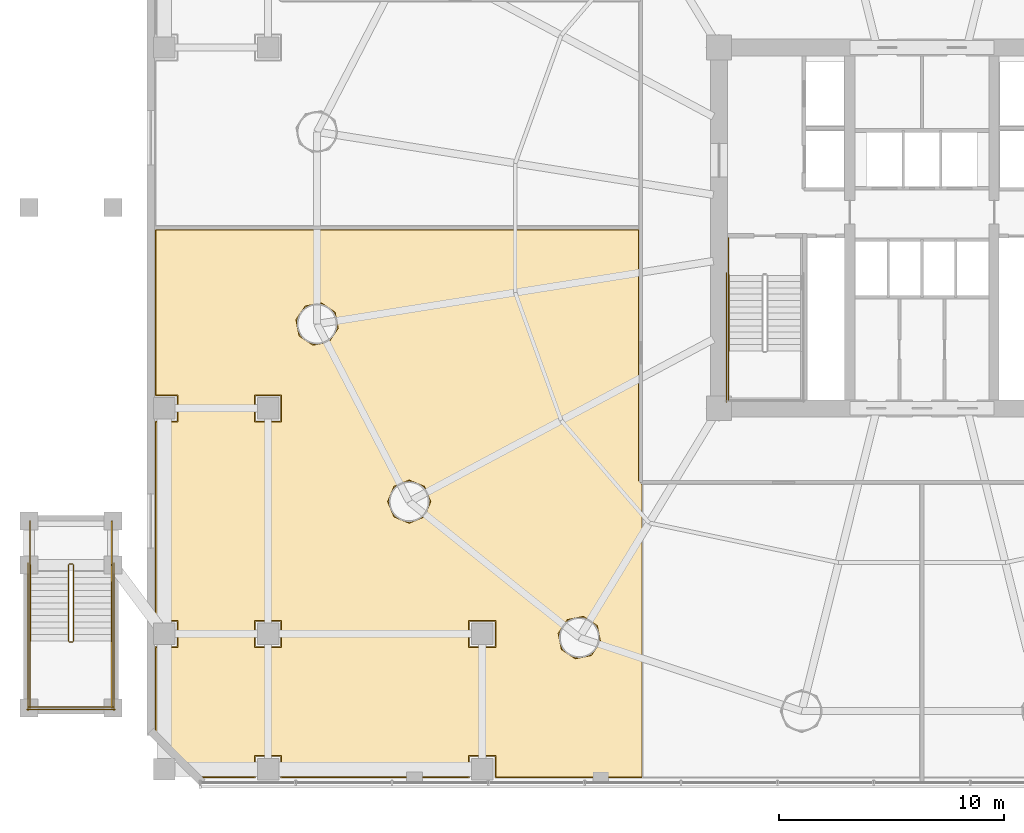
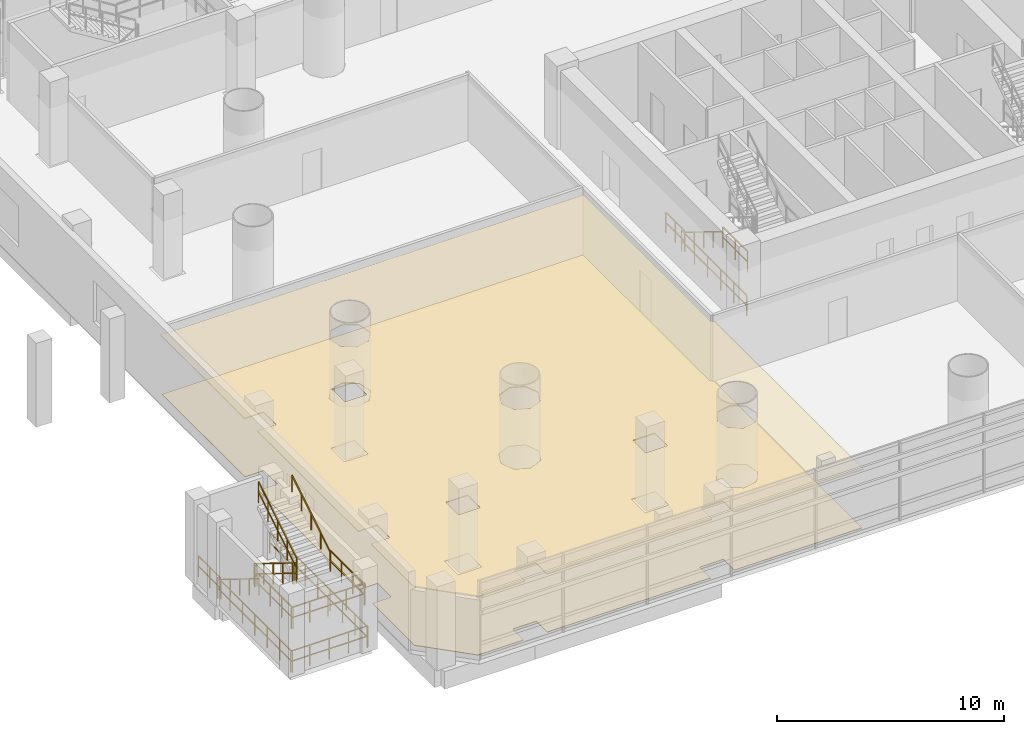
# One storey, part 27 of 36: 18 railings, 2 coverings.
"""IFC4 building model written with IfcOpenShell, lengths in metres."""

from ifc_helpers import new_model, si_unit, direction, frame, origin, origin_2d, place, context, subcontext, project, spatial, polyline, rectangle, outline, extrude, material, layer, layer_set, type_object, element, save


model = new_model("IFC4")

# Units and contexts
model_context = context("Model", 3, precision=1e-05, world=origin(), true_north=direction((-0.2419218956, 0.970295726276)))
body_context = subcontext(model_context, "Body", "Model", "MODEL_VIEW")
ifc_project = project(units=[si_unit("LENGTHUNIT", "METRE"), si_unit("AREAUNIT", "SQUARE_METRE"), si_unit("VOLUMEUNIT", "CUBIC_METRE"), si_unit("PLANEANGLEUNIT", "RADIAN"), si_unit("MASSUNIT", "GRAM", prefix="KILO")], contexts=[model_context])

# Site, building, storey
site_placement = place(None, origin())
site = spatial("IfcSite", under=ifc_project, at=site_placement, CompositionType="ELEMENT")
building_placement = place(site_placement, origin())
building = spatial("IfcBuilding", under=site, at=building_placement, Name="Cobrevalo Terracotta Tower", CompositionType="ELEMENT")
storey_placement = place(building_placement, frame((0.0, 0.0, 9.89990234375)))
storey = spatial("IfcBuildingStorey", under=building, at=storey_placement, Name="L02", CompositionType="ELEMENT", Elevation=9.89990234375)

# Coverings
ifc_material_1 = material(Name="Honed terracotta and granite tile", Category="masonry")
ifc_layer_1 = layer(ifc_material_1, 0.034912109375)
ifc_layer_set_1 = layer_set([ifc_layer_1], Name="Honed terracotta and granite tile")
covering_type_1 = type_object("IfcCoveringType", Name="Honed Terracotta & Granite Interior Flooring 35", PredefinedType="FLOORING", material=ifc_layer_set_1)
covering_1_placement = place(storey_placement, origin())
element("IfcCovering", 1, at=covering_1_placement, inside=storey, type_object=covering_type_1, Name="L02 Co-Working Studio West floor finish", PredefinedType="FLOORING", context=body_context, shape_type="SweptSolid", body=[
    extrude(outline(polyline([(4.0400390625, 4.478271484375), (4.0400390625, 8.199951171875), (5.0, 8.199951171875), (5.0, 9.39990234375), (4.0400390625, 9.39990234375), (4.0400390625, 18.199951171875), (5.0, 18.199951171875), (5.0, 19.39990234375), (4.0400390625, 19.39990234375), (4.0400390625, 26.699951171875), (25.419921875, 26.699951171875), (25.419921875, 15.59814453125), (25.580078125, 15.423583984375), (25.580078125, 2.43994140625), (19.10009765625, 2.43994140625), (19.10009765625, 3.39990234375), (17.89990234375, 3.39990234375), (17.89990234375, 2.43994140625), (9.60009765625, 2.43994140625), (9.60009765625, 3.39990234375), (8.39990234375, 3.39990234375), (8.39990234375, 2.43994140625), (6.078369140625, 2.43994140625), (4.0400390625, 4.478271484375)]), holes=[polyline([(23.338623046875, 7.833984375), (23.746826171875, 8.445068359375), (23.603515625, 9.165771484375), (22.992431640625, 9.573974609375), (22.271728515625, 9.4306640625), (21.863525390625, 8.819580078125), (22.0068359375, 8.098876953125), (22.617919921875, 7.690673828125), (23.338623046875, 7.833984375)]), polyline([(17.89990234375, 9.39990234375), (17.89990234375, 8.199951171875), (19.10009765625, 8.199951171875), (19.10009765625, 9.39990234375), (17.89990234375, 9.39990234375)]), polyline([(15.938232421875, 13.98193359375), (16.219482421875, 14.660888671875), (15.938232421875, 15.339599609375), (15.25927734375, 15.620849609375), (14.580322265625, 15.339599609375), (14.29931640625, 14.660888671875), (14.580322265625, 13.98193359375), (15.25927734375, 13.70068359375), (15.938232421875, 13.98193359375)]), polyline([(11.708984375, 21.739013671875), (12.1171875, 22.349853515625), (11.973876953125, 23.07080078125), (11.36279296875, 23.47900390625), (10.64208984375, 23.33544921875), (10.23388671875, 22.724609375), (10.377197265625, 22.00390625), (10.98828125, 21.595703125), (11.708984375, 21.739013671875)]), polyline([(8.39990234375, 9.39990234375), (8.39990234375, 8.199951171875), (9.60009765625, 8.199951171875), (9.60009765625, 9.39990234375), (8.39990234375, 9.39990234375)]), polyline([(8.39990234375, 19.39990234375), (8.39990234375, 18.199951171875), (9.60009765625, 18.199951171875), (9.60009765625, 19.39990234375), (8.39990234375, 19.39990234375)])]), origin(), (0.0, 0.0, 1.0), 0.030029296875),
])
ifc_material_2 = material(Name="Acoustic perforated gypsum ceiling", Category="gypsum")
ifc_layer_2 = layer(ifc_material_2, 0.050048828125)
ifc_layer_set_2 = layer_set([ifc_layer_2], Name="Acoustic perforated gypsum ceiling")
covering_type_2 = type_object("IfcCoveringType", Name="Perforated Acoustic Gypsum Ceiling 50", PredefinedType="CEILING", material=ifc_layer_set_2)
covering_2_placement = place(storey_placement, frame((0.0, 0.0, 3.16015625)))
element("IfcCovering", 2, at=covering_2_placement, inside=storey, type_object=covering_type_2, Name="L02 Co-Working Studio West acoustic ceiling", PredefinedType="CEILING", context=body_context, shape_type="SweptSolid", body=[
    extrude(outline(polyline([(3.9951171875, 4.459716796875), (3.9951171875, 8.2451171875), (4.955078125, 8.2451171875), (4.955078125, 9.35498046875), (3.9951171875, 9.35498046875), (3.9951171875, 18.2451171875), (4.955078125, 18.2451171875), (4.955078125, 19.35498046875), (3.9951171875, 19.35498046875), (3.9951171875, 26.7451171875), (25.465087890625, 26.7451171875), (25.465087890625, 15.6025390625), (25.625, 15.46044921875), (25.625, 2.39501953125), (19.054931640625, 2.39501953125), (19.054931640625, 3.35498046875), (17.945068359375, 3.35498046875), (17.945068359375, 2.39501953125), (9.554931640625, 2.39501953125), (9.554931640625, 3.35498046875), (8.445068359375, 3.35498046875), (8.445068359375, 2.39501953125), (6.0595703125, 2.39501953125), (3.9951171875, 4.459716796875)]), holes=[polyline([(23.3134765625, 7.87158203125), (23.702392578125, 8.453857421875), (23.56591796875, 9.140625), (22.983642578125, 9.52978515625), (22.296875, 9.39306640625), (21.907958984375, 8.810791015625), (22.04443359375, 8.1240234375), (22.626708984375, 7.735107421875), (23.3134765625, 7.87158203125)]), polyline([(17.945068359375, 9.35498046875), (17.945068359375, 8.2451171875), (19.054931640625, 8.2451171875), (19.054931640625, 9.35498046875), (17.945068359375, 9.35498046875)]), polyline([(15.90625, 14.013916015625), (16.174072265625, 14.660888671875), (15.90625, 15.3076171875), (15.25927734375, 15.57568359375), (14.6123046875, 15.3076171875), (14.344482421875, 14.660888671875), (14.6123046875, 14.013916015625), (15.25927734375, 13.745849609375), (15.90625, 14.013916015625)]), polyline([(11.683837890625, 21.776611328125), (12.07275390625, 22.35888671875), (11.936279296875, 23.045654296875), (11.35400390625, 23.4345703125), (10.667236328125, 23.2978515625), (10.2783203125, 22.7158203125), (10.414794921875, 22.029052734375), (10.9970703125, 21.639892578125), (11.683837890625, 21.776611328125)]), polyline([(8.445068359375, 9.35498046875), (8.445068359375, 8.2451171875), (9.554931640625, 8.2451171875), (9.554931640625, 9.35498046875), (8.445068359375, 9.35498046875)]), polyline([(8.445068359375, 19.35498046875), (8.445068359375, 18.2451171875), (9.554931640625, 18.2451171875), (9.554931640625, 19.35498046875), (8.445068359375, 19.35498046875)])]), origin(), (0.0, 0.0, 1.0), 0.050048828125),
])

# Railings
ifc_material_3 = material(Name="Brushed stainless steel", Category="steel")
railing_type_1 = type_object("IfcRailingType", Name="Stainless Steel Stair Handrail 900", PredefinedType="HANDRAIL", material=ifc_material_3)
railing_1_placement = place(storey_placement, frame((29.425048828125, 24.699951171875, 0.173095703125)))
element("IfcRailing", 3, at=railing_1_placement, inside=storey, type_object=railing_type_1, Name="L02 ST-1 stair handrail 1", PredefinedType="HANDRAIL", context=body_context, shape_type="SweptSolid", body=[
    extrude(rectangle(XDim=0.048095703125, YDim=0.048095703125, at=origin_2d()), frame((0.0, 0.0, 0.8759765625), z_axis=(0.0, -0.850606129759, 0.525803396734), x_axis=(1.0, 0.0, 0.0)), (0.0, 0.0, 1.0), 3.949951171875),
    extrude(rectangle(XDim=0.0419921875, YDim=0.0419921875, at=origin_2d()), origin(), (0.0, 0.0, 1.0), 0.851806640625),
    extrude(rectangle(XDim=0.0419921875, YDim=0.0419921875, at=origin_2d()), frame((0.0, -0.83984375, 0.519287109375)), (0.0, 0.0, 1.0), 0.851806640625),
    extrude(rectangle(XDim=0.0419921875, YDim=0.0419921875, at=origin_2d()), frame((0.0, -1.679931640625, 1.03857421875)), (0.0, 0.0, 1.0), 0.851806640625),
    extrude(rectangle(XDim=0.0419921875, YDim=0.0419921875, at=origin_2d()), frame((0.0, -2.52001953125, 1.5576171875)), (0.0, 0.0, 1.0), 0.851806640625),
    extrude(rectangle(XDim=0.0419921875, YDim=0.0419921875, at=origin_2d()), frame((0.0, -3.35986328125, 2.076904296875)), (0.0, 0.0, 1.0), 0.851806640625),
])
railing_2_placement = place(storey_placement, frame((-1.550048828125, 11.85009765625, 0.173095703125)))
element("IfcRailing", 4, at=railing_2_placement, inside=storey, type_object=railing_type_1, Name="L02 ST-EXT-W stair handrail 1", PredefinedType="HANDRAIL", context=body_context, shape_type="SweptSolid", body=[
    extrude(rectangle(XDim=0.048095703125, YDim=0.048095703125, at=origin_2d()), frame((0.0, 0.0, 0.8759765625), z_axis=(0.0, -0.850623216509, 0.525775754039), x_axis=(1.0, 0.0, 0.0)), (0.0, 0.0, 1.0), 3.9501953125),
    extrude(rectangle(XDim=0.0419921875, YDim=0.0419921875, at=origin_2d()), origin(), (0.0, 0.0, 1.0), 0.851806640625),
    extrude(rectangle(XDim=0.0419921875, YDim=0.0419921875, at=origin_2d()), frame((0.0, -0.840087890625, 0.519287109375)), (0.0, 0.0, 1.0), 0.851806640625),
    extrude(rectangle(XDim=0.0419921875, YDim=0.0419921875, at=origin_2d()), frame((0.0, -1.68017578125, 1.03857421875)), (0.0, 0.0, 1.0), 0.851806640625),
    extrude(rectangle(XDim=0.0419921875, YDim=0.0419921875, at=origin_2d()), frame((0.0, -2.52001953125, 1.5576171875)), (0.0, 0.0, 1.0), 0.851806640625),
    extrude(rectangle(XDim=0.0419921875, YDim=0.0419921875, at=origin_2d()), frame((0.0, -3.360107421875, 2.076904296875)), (0.0, 0.0, 1.0), 0.851806640625),
])
railing_3_placement = place(storey_placement, frame((2.070068359375, 8.489990234375, 2.423095703125)))
element("IfcRailing", 5, at=railing_3_placement, inside=storey, type_object=railing_type_1, Name="L02 ST-EXT-W stair handrail 2", PredefinedType="HANDRAIL", context=body_context, shape_type="SweptSolid", body=[
    extrude(rectangle(XDim=0.048095703125, YDim=0.048095703125, at=origin_2d()), frame((0.0, 0.0, 0.8759765625), z_axis=(0.0, 0.850623216509, 0.525775754039), x_axis=(-1.0, 0.0, 0.0)), (0.0, 0.0, 1.0), 3.9501953125),
    extrude(rectangle(XDim=0.0419921875, YDim=0.0419921875, at=origin_2d()), origin(), (0.0, 0.0, 1.0), 0.851806640625),
    extrude(rectangle(XDim=0.0419921875, YDim=0.0419921875, at=origin_2d()), frame((0.0, 0.840087890625, 0.519287109375)), (0.0, 0.0, 1.0), 0.851806640625),
    extrude(rectangle(XDim=0.0419921875, YDim=0.0419921875, at=origin_2d()), frame((0.0, 1.68017578125, 1.03857421875)), (0.0, 0.0, 1.0), 0.851806640625),
    extrude(rectangle(XDim=0.0419921875, YDim=0.0419921875, at=origin_2d()), frame((0.0, 2.52001953125, 1.5576171875)), (0.0, 0.0, 1.0), 0.851806640625),
    extrude(rectangle(XDim=0.0419921875, YDim=0.0419921875, at=origin_2d()), frame((0.0, 3.360107421875, 2.076904296875)), (0.0, 0.0, 1.0), 0.851806640625),
])
ifc_material_4 = material(Name="Painted galvanized steel", Category="steel")
railing_type_2 = type_object("IfcRailingType", Name="Stair Well Guard Balustrade 1150", PredefinedType="GUARDRAIL", material=ifc_material_4)
railing_4_placement = place(storey_placement, frame((29.425048828125, 21.340087890625, 2.25)))
element("IfcRailing", 6, at=railing_4_placement, inside=storey, type_object=railing_type_2, Name="L02 ST-1 stair guard 3", PredefinedType="GUARDRAIL", context=body_context, shape_type="SweptSolid", body=[
    extrude(rectangle(XDim=0.048095703125, YDim=0.048095703125, at=origin_2d()), frame((0.0, 0.0, 1.1259765625), z_axis=(0.0, -1.0, 0.0), x_axis=(1.0, 0.0, 0.0)), (0.0, 0.0, 1.0), 2.1650390625),
    extrude(rectangle(XDim=0.048095703125, YDim=0.048095703125, at=origin_2d()), frame((0.0, 0.0, 0.574951171875), z_axis=(0.0, -1.0, 0.0), x_axis=(1.0, 0.0, 0.0)), (0.0, 0.0, 1.0), 2.1650390625),
    extrude(rectangle(XDim=0.0419921875, YDim=0.0419921875, at=origin_2d()), origin(), (0.0, 0.0, 1.0), 1.101806640625),
    extrude(rectangle(XDim=0.0419921875, YDim=0.0419921875, at=origin_2d()), frame((0.0, -1.08251953125, 0.0)), (0.0, 0.0, 1.0), 1.101806640625),
    extrude(rectangle(XDim=0.0419921875, YDim=0.0419921875, at=origin_2d()), frame((0.0, -2.1650390625, 0.0)), (0.0, 0.0, 1.0), 1.101806640625),
])
railing_5_placement = place(storey_placement, frame((29.425048828125, 26.35009765625, 0.0)))
element("IfcRailing", 7, at=railing_5_placement, inside=storey, type_object=railing_type_2, Name="L02 ST-1 stair guard 8", PredefinedType="GUARDRAIL", context=body_context, shape_type="SweptSolid", body=[
    extrude(rectangle(XDim=0.048095703125, YDim=0.048095703125, at=origin_2d()), frame((0.0, 0.0, 1.1259765625), z_axis=(0.0, -1.0, 0.0), x_axis=(1.0, 0.0, 0.0)), (0.0, 0.0, 1.0), 1.650146484375),
    extrude(rectangle(XDim=0.048095703125, YDim=0.048095703125, at=origin_2d()), frame((0.0, 0.0, 0.574951171875), z_axis=(0.0, -1.0, 0.0), x_axis=(1.0, 0.0, 0.0)), (0.0, 0.0, 1.0), 1.650146484375),
    extrude(rectangle(XDim=0.0419921875, YDim=0.0419921875, at=origin_2d()), origin(), (0.0, 0.0, 1.0), 1.101806640625),
    extrude(rectangle(XDim=0.0419921875, YDim=0.0419921875, at=origin_2d()), frame((0.0, -0.8251953125, 0.0)), (0.0, 0.0, 1.0), 1.101806640625),
    extrude(rectangle(XDim=0.0419921875, YDim=0.0419921875, at=origin_2d()), frame((0.0, -1.650146484375, 0.0)), (0.0, 0.0, 1.0), 1.101806640625),
])
railing_6_placement = place(storey_placement, frame((29.324951171875, 24.800048828125, 0.0)))
element("IfcRailing", 8, at=railing_6_placement, inside=storey, type_object=railing_type_2, Name="L02 ST-1 stair guard 10", PredefinedType="GUARDRAIL", context=body_context, shape_type="SweptSolid", body=[
    extrude(rectangle(XDim=0.048095703125, YDim=0.048095703125, at=origin_2d()), frame((0.0, 0.0, 1.1259765625), z_axis=(0.0, -1.0, 0.0), x_axis=(1.0, 0.0, 0.0)), (0.0, 0.0, 1.0), 5.72509765625),
    extrude(rectangle(XDim=0.048095703125, YDim=0.048095703125, at=origin_2d()), frame((0.0, 0.0, 0.574951171875), z_axis=(0.0, -1.0, 0.0), x_axis=(1.0, 0.0, 0.0)), (0.0, 0.0, 1.0), 5.72509765625),
    extrude(rectangle(XDim=0.0419921875, YDim=0.0419921875, at=origin_2d()), origin(), (0.0, 0.0, 1.0), 1.101806640625),
    extrude(rectangle(XDim=0.0419921875, YDim=0.0419921875, at=origin_2d()), frame((0.0, -1.14501953125, 0.0)), (0.0, 0.0, 1.0), 1.101806640625),
    extrude(rectangle(XDim=0.0419921875, YDim=0.0419921875, at=origin_2d()), frame((0.0, -2.2900390625, 0.0)), (0.0, 0.0, 1.0), 1.101806640625),
    extrude(rectangle(XDim=0.0419921875, YDim=0.0419921875, at=origin_2d()), frame((0.0, -3.43505859375, 0.0)), (0.0, 0.0, 1.0), 1.101806640625),
    extrude(rectangle(XDim=0.0419921875, YDim=0.0419921875, at=origin_2d()), frame((0.0, -4.580078125, 0.0)), (0.0, 0.0, 1.0), 1.101806640625),
    extrude(rectangle(XDim=0.0419921875, YDim=0.0419921875, at=origin_2d()), frame((0.0, -5.72509765625, 0.0)), (0.0, 0.0, 1.0), 1.101806640625),
])
railing_7_placement = place(storey_placement, frame((0.14990234375, 11.85009765625, 0.173095703125)))
element("IfcRailing", 9, at=railing_7_placement, inside=storey, type_object=railing_type_2, Name="L02 ST-EXT-W stair guard 1", PredefinedType="GUARDRAIL", context=body_context, shape_type="SweptSolid", body=[
    extrude(rectangle(XDim=0.048095703125, YDim=0.048095703125, at=origin_2d()), frame((0.0, 0.0, 1.1259765625), z_axis=(0.0, -0.850623216509, 0.525775754039), x_axis=(1.0, 0.0, 0.0)), (0.0, 0.0, 1.0), 3.9501953125),
    extrude(rectangle(XDim=0.048095703125, YDim=0.048095703125, at=origin_2d()), frame((0.0, 0.0, 0.574951171875), z_axis=(0.0, -0.850623216509, 0.525775754039), x_axis=(1.0, 0.0, 0.0)), (0.0, 0.0, 1.0), 3.9501953125),
    extrude(rectangle(XDim=0.0419921875, YDim=0.0419921875, at=origin_2d()), origin(), (0.0, 0.0, 1.0), 1.101806640625),
    extrude(rectangle(XDim=0.0419921875, YDim=0.0419921875, at=origin_2d()), frame((0.0, -0.840087890625, 0.519287109375)), (0.0, 0.0, 1.0), 1.101806640625),
    extrude(rectangle(XDim=0.0419921875, YDim=0.0419921875, at=origin_2d()), frame((0.0, -1.68017578125, 1.03857421875)), (0.0, 0.0, 1.0), 1.101806640625),
    extrude(rectangle(XDim=0.0419921875, YDim=0.0419921875, at=origin_2d()), frame((0.0, -2.52001953125, 1.5576171875)), (0.0, 0.0, 1.0), 1.101806640625),
    extrude(rectangle(XDim=0.0419921875, YDim=0.0419921875, at=origin_2d()), frame((0.0, -3.360107421875, 2.076904296875)), (0.0, 0.0, 1.0), 1.101806640625),
])
railing_8_placement = place(storey_placement, frame((0.199951171875, 8.43994140625, 2.25)))
element("IfcRailing", 10, at=railing_8_placement, inside=storey, type_object=railing_type_2, Name="L02 ST-EXT-W stair guard 2", PredefinedType="GUARDRAIL", context=body_context, shape_type="SweptSolid", body=[
    extrude(rectangle(XDim=0.048095703125, YDim=0.048095703125, at=origin_2d()), frame((0.0, 0.0, 1.1259765625), z_axis=(1.0, 0.0, 0.0), x_axis=(0.0, 1.0, 0.0)), (0.0, 0.0, 1.0), 0.1201171875),
    extrude(rectangle(XDim=0.048095703125, YDim=0.048095703125, at=origin_2d()), frame((0.0, 0.0, 0.574951171875), z_axis=(1.0, 0.0, 0.0), x_axis=(0.0, 1.0, 0.0)), (0.0, 0.0, 1.0), 0.1201171875),
    extrude(rectangle(XDim=0.0419921875, YDim=0.0419921875, at=origin_2d()), origin(), (0.0, 0.0, 1.0), 1.101806640625),
    extrude(rectangle(XDim=0.0419921875, YDim=0.0419921875, at=origin_2d()), frame((0.1201171875, 0.0, 0.0)), (0.0, 0.0, 1.0), 1.101806640625),
])
for number, where, name in (
    (11, (-1.550048828125, 8.489990234375, 2.25), "L02 ST-EXT-W stair guard 3"),
    (12, (2.070068359375, 8.489990234375, 2.25), "L02 ST-EXT-W stair guard 4"),
):
    element("IfcRailing", number, at=place(storey_placement, frame(where)), inside=storey, type_object=railing_type_2, Name=name, PredefinedType="GUARDRAIL", context=body_context, shape_type="SweptSolid", body=[
        extrude(rectangle(XDim=0.048095703125, YDim=0.048095703125, at=origin_2d()), frame((0.0, 0.0, 1.1259765625), z_axis=(0.0, -1.0, 0.0), x_axis=(1.0, 0.0, 0.0)), (0.0, 0.0, 1.0), 2.989990234375),
        extrude(rectangle(XDim=0.048095703125, YDim=0.048095703125, at=origin_2d()), frame((0.0, 0.0, 0.574951171875), z_axis=(0.0, -1.0, 0.0), x_axis=(1.0, 0.0, 0.0)), (0.0, 0.0, 1.0), 2.989990234375),
        extrude(rectangle(XDim=0.0419921875, YDim=0.0419921875, at=origin_2d()), origin(), (0.0, 0.0, 1.0), 1.101806640625),
        extrude(rectangle(XDim=0.0419921875, YDim=0.0419921875, at=origin_2d()), frame((0.0, -0.99658203125, 0.0)), (0.0, 0.0, 1.0), 1.101806640625),
        extrude(rectangle(XDim=0.0419921875, YDim=0.0419921875, at=origin_2d()), frame((0.0, -1.993408203125, 0.0)), (0.0, 0.0, 1.0), 1.101806640625),
        extrude(rectangle(XDim=0.0419921875, YDim=0.0419921875, at=origin_2d()), frame((0.0, -2.989990234375, 0.0)), (0.0, 0.0, 1.0), 1.101806640625),
    ])
railing_9_placement = place(storey_placement, frame((-1.60009765625, 5.550048828125, 2.25)))
element("IfcRailing", 13, at=railing_9_placement, inside=storey, type_object=railing_type_2, Name="L02 ST-EXT-W stair guard 5", PredefinedType="GUARDRAIL", context=body_context, shape_type="SweptSolid", body=[
    extrude(rectangle(XDim=0.048095703125, YDim=0.048095703125, at=origin_2d()), frame((0.0, 0.0, 1.1259765625), z_axis=(1.0, 0.0, 0.0), x_axis=(0.0, 1.0, 0.0)), (0.0, 0.0, 1.0), 3.72021484375),
    extrude(rectangle(XDim=0.048095703125, YDim=0.048095703125, at=origin_2d()), frame((0.0, 0.0, 0.574951171875), z_axis=(1.0, 0.0, 0.0), x_axis=(0.0, 1.0, 0.0)), (0.0, 0.0, 1.0), 3.72021484375),
    extrude(rectangle(XDim=0.0419921875, YDim=0.0419921875, at=origin_2d()), origin(), (0.0, 0.0, 1.0), 1.101806640625),
    extrude(rectangle(XDim=0.0419921875, YDim=0.0419921875, at=origin_2d()), frame((0.93017578125, 0.0, 0.0)), (0.0, 0.0, 1.0), 1.101806640625),
    extrude(rectangle(XDim=0.0419921875, YDim=0.0419921875, at=origin_2d()), frame((1.860107421875, 0.0, 0.0)), (0.0, 0.0, 1.0), 1.101806640625),
    extrude(rectangle(XDim=0.0419921875, YDim=0.0419921875, at=origin_2d()), frame((2.7900390625, 0.0, 0.0)), (0.0, 0.0, 1.0), 1.101806640625),
    extrude(rectangle(XDim=0.0419921875, YDim=0.0419921875, at=origin_2d()), frame((3.72021484375, 0.0, 0.0)), (0.0, 0.0, 1.0), 1.101806640625),
])
railing_10_placement = place(storey_placement, frame((0.3701171875, 8.489990234375, 2.423095703125)))
element("IfcRailing", 14, at=railing_10_placement, inside=storey, type_object=railing_type_2, Name="L02 ST-EXT-W stair guard 6", PredefinedType="GUARDRAIL", context=body_context, shape_type="SweptSolid", body=[
    extrude(rectangle(XDim=0.048095703125, YDim=0.048095703125, at=origin_2d()), frame((0.0, 0.0, 1.1259765625), z_axis=(0.0, 0.850623216509, 0.525775754039), x_axis=(-1.0, 0.0, 0.0)), (0.0, 0.0, 1.0), 3.9501953125),
    extrude(rectangle(XDim=0.048095703125, YDim=0.048095703125, at=origin_2d()), frame((0.0, 0.0, 0.574951171875), z_axis=(0.0, 0.850623216509, 0.525775754039), x_axis=(-1.0, 0.0, 0.0)), (0.0, 0.0, 1.0), 3.9501953125),
    extrude(rectangle(XDim=0.0419921875, YDim=0.0419921875, at=origin_2d()), origin(), (0.0, 0.0, 1.0), 1.101806640625),
    extrude(rectangle(XDim=0.0419921875, YDim=0.0419921875, at=origin_2d()), frame((0.0, 0.840087890625, 0.519287109375)), (0.0, 0.0, 1.0), 1.101806640625),
    extrude(rectangle(XDim=0.0419921875, YDim=0.0419921875, at=origin_2d()), frame((0.0, 1.68017578125, 1.03857421875)), (0.0, 0.0, 1.0), 1.101806640625),
    extrude(rectangle(XDim=0.0419921875, YDim=0.0419921875, at=origin_2d()), frame((0.0, 2.52001953125, 1.5576171875)), (0.0, 0.0, 1.0), 1.101806640625),
    extrude(rectangle(XDim=0.0419921875, YDim=0.0419921875, at=origin_2d()), frame((0.0, 3.360107421875, 2.076904296875)), (0.0, 0.0, 1.0), 1.101806640625),
])
railing_11_placement = place(storey_placement, frame((0.199951171875, 11.89990234375, 0.0)))
element("IfcRailing", 15, at=railing_11_placement, inside=storey, type_object=railing_type_2, Name="L02 ST-EXT-W stair guard 7", PredefinedType="GUARDRAIL", context=body_context, shape_type="SweptSolid", body=[
    extrude(rectangle(XDim=0.048095703125, YDim=0.048095703125, at=origin_2d()), frame((0.0, 0.0, 1.1259765625), z_axis=(1.0, 0.0, 0.0), x_axis=(0.0, 1.0, 0.0)), (0.0, 0.0, 1.0), 0.1201171875),
    extrude(rectangle(XDim=0.048095703125, YDim=0.048095703125, at=origin_2d()), frame((0.0, 0.0, 0.574951171875), z_axis=(1.0, 0.0, 0.0), x_axis=(0.0, 1.0, 0.0)), (0.0, 0.0, 1.0), 0.1201171875),
    extrude(rectangle(XDim=0.0419921875, YDim=0.0419921875, at=origin_2d()), origin(), (0.0, 0.0, 1.0), 1.101806640625),
    extrude(rectangle(XDim=0.0419921875, YDim=0.0419921875, at=origin_2d()), frame((0.1201171875, 0.0, 0.0)), (0.0, 0.0, 1.0), 1.101806640625),
])
for number, where, name in (
    (16, (-1.550048828125, 13.800048828125, 0.0), "L02 ST-EXT-W stair guard 8"),
    (17, (2.070068359375, 13.800048828125, 0.0), "L02 ST-EXT-W stair guard 9"),
):
    element("IfcRailing", number, at=place(storey_placement, frame(where)), inside=storey, type_object=railing_type_2, Name=name, PredefinedType="GUARDRAIL", context=body_context, shape_type="SweptSolid", body=[
        extrude(rectangle(XDim=0.048095703125, YDim=0.048095703125, at=origin_2d()), frame((0.0, 0.0, 1.1259765625), z_axis=(0.0, -1.0, 0.0), x_axis=(1.0, 0.0, 0.0)), (0.0, 0.0, 1.0), 1.949951171875),
        extrude(rectangle(XDim=0.048095703125, YDim=0.048095703125, at=origin_2d()), frame((0.0, 0.0, 0.574951171875), z_axis=(0.0, -1.0, 0.0), x_axis=(1.0, 0.0, 0.0)), (0.0, 0.0, 1.0), 1.949951171875),
        extrude(rectangle(XDim=0.0419921875, YDim=0.0419921875, at=origin_2d()), origin(), (0.0, 0.0, 1.0), 1.101806640625),
        extrude(rectangle(XDim=0.0419921875, YDim=0.0419921875, at=origin_2d()), frame((0.0, -0.97509765625, 0.0)), (0.0, 0.0, 1.0), 1.101806640625),
        extrude(rectangle(XDim=0.0419921875, YDim=0.0419921875, at=origin_2d()), frame((0.0, -1.949951171875, 0.0)), (0.0, 0.0, 1.0), 1.101806640625),
    ])
for number, where, name in (
    (18, (-1.64990234375, 11.949951171875, 0.0), "L02 ST-EXT-W stair guard 10"),
    (19, (2.169921875, 11.949951171875, 0.0), "L02 ST-EXT-W stair guard 11"),
):
    element("IfcRailing", number, at=place(storey_placement, frame(where)), inside=storey, type_object=railing_type_2, Name=name, PredefinedType="GUARDRAIL", context=body_context, shape_type="SweptSolid", body=[
        extrude(rectangle(XDim=0.048095703125, YDim=0.048095703125, at=origin_2d()), frame((0.0, 0.0, 1.1259765625), z_axis=(0.0, -1.0, 0.0), x_axis=(1.0, 0.0, 0.0)), (0.0, 0.0, 1.0), 6.550048828125),
        extrude(rectangle(XDim=0.048095703125, YDim=0.048095703125, at=origin_2d()), frame((0.0, 0.0, 0.574951171875), z_axis=(0.0, -1.0, 0.0), x_axis=(1.0, 0.0, 0.0)), (0.0, 0.0, 1.0), 6.550048828125),
        extrude(rectangle(XDim=0.0419921875, YDim=0.0419921875, at=origin_2d()), origin(), (0.0, 0.0, 1.0), 1.101806640625),
        extrude(rectangle(XDim=0.0419921875, YDim=0.0419921875, at=origin_2d()), frame((0.0, -1.091796875, 0.0)), (0.0, 0.0, 1.0), 1.101806640625),
        extrude(rectangle(XDim=0.0419921875, YDim=0.0419921875, at=origin_2d()), frame((0.0, -2.183349609375, 0.0)), (0.0, 0.0, 1.0), 1.101806640625),
        extrude(rectangle(XDim=0.0419921875, YDim=0.0419921875, at=origin_2d()), frame((0.0, -3.27490234375, 0.0)), (0.0, 0.0, 1.0), 1.101806640625),
        extrude(rectangle(XDim=0.0419921875, YDim=0.0419921875, at=origin_2d()), frame((0.0, -4.36669921875, 0.0)), (0.0, 0.0, 1.0), 1.101806640625),
        extrude(rectangle(XDim=0.0419921875, YDim=0.0419921875, at=origin_2d()), frame((0.0, -5.45849609375, 0.0)), (0.0, 0.0, 1.0), 1.101806640625),
        extrude(rectangle(XDim=0.0419921875, YDim=0.0419921875, at=origin_2d()), frame((0.0, -6.550048828125, 0.0)), (0.0, 0.0, 1.0), 1.101806640625),
    ])
railing_12_placement = place(storey_placement, frame((-1.699951171875, 5.449951171875, 0.0)))
element("IfcRailing", 20, at=railing_12_placement, inside=storey, type_object=railing_type_2, Name="L02 ST-EXT-W stair guard 12", PredefinedType="GUARDRAIL", context=body_context, shape_type="SweptSolid", body=[
    extrude(rectangle(XDim=0.048095703125, YDim=0.048095703125, at=origin_2d()), frame((0.0, 0.0, 1.1259765625), z_axis=(1.0, 0.0, 0.0), x_axis=(0.0, 1.0, 0.0)), (0.0, 0.0, 1.0), 3.919921875),
    extrude(rectangle(XDim=0.048095703125, YDim=0.048095703125, at=origin_2d()), frame((0.0, 0.0, 0.574951171875), z_axis=(1.0, 0.0, 0.0), x_axis=(0.0, 1.0, 0.0)), (0.0, 0.0, 1.0), 3.919921875),
    extrude(rectangle(XDim=0.0419921875, YDim=0.0419921875, at=origin_2d()), origin(), (0.0, 0.0, 1.0), 1.101806640625),
    extrude(rectangle(XDim=0.0419921875, YDim=0.0419921875, at=origin_2d()), frame((0.97998046875, 0.0, 0.0)), (0.0, 0.0, 1.0), 1.101806640625),
    extrude(rectangle(XDim=0.0419921875, YDim=0.0419921875, at=origin_2d()), frame((1.9599609375, 0.0, 0.0)), (0.0, 0.0, 1.0), 1.101806640625),
    extrude(rectangle(XDim=0.0419921875, YDim=0.0419921875, at=origin_2d()), frame((2.93994140625, 0.0, 0.0)), (0.0, 0.0, 1.0), 1.101806640625),
    extrude(rectangle(XDim=0.0419921875, YDim=0.0419921875, at=origin_2d()), frame((3.919921875, 0.0, 0.0)), (0.0, 0.0, 1.0), 1.101806640625),
])

save(model, "model.ifc")
